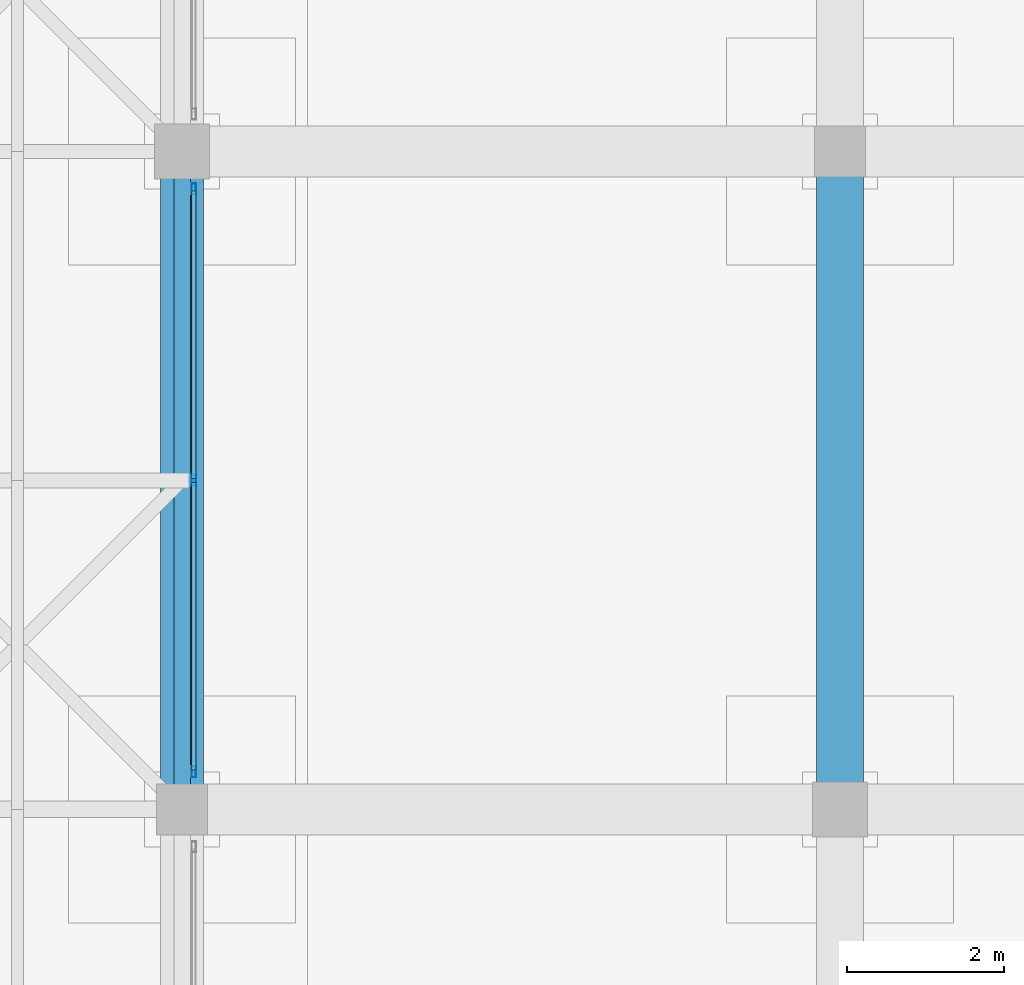
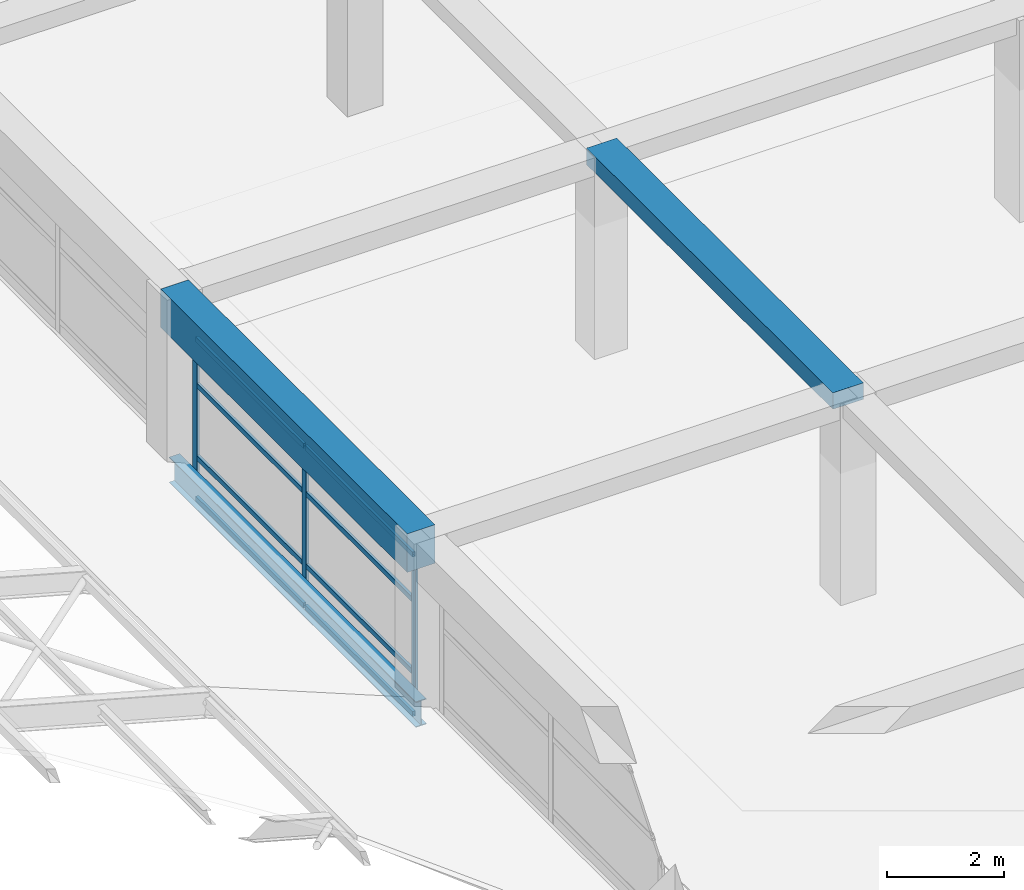
# One storey, part 37 of 85: 11 members, 3 beams, 1 element without a shape of its own.
"""IFC4 building model written with IfcOpenShell, lengths in metres."""

from ifc_helpers import new_model, si_unit, direction, frame, origin, origin_2d, place, context, subcontext, project, spatial, rectangle, hollow_rectangle, i_section, extrude, material, material_profile, profile_set, type_object, element, aggregate, save


model = new_model("IFC4")

# Units and contexts
model_context = context("Model", 3, precision=1e-05, world=origin(), true_north=direction((0.0, 1.0)))
body_context = subcontext(model_context, "Body", "Model", "MODEL_VIEW")
ifc_project = project(units=[si_unit("LENGTHUNIT", "METRE"), si_unit("AREAUNIT", "SQUARE_METRE"), si_unit("VOLUMEUNIT", "CUBIC_METRE"), si_unit("PLANEANGLEUNIT", "RADIAN"), si_unit("MASSUNIT", "GRAM", prefix="KILO")], contexts=[model_context])

# Site, building, storey
site_placement = place(None, origin())
site = spatial("IfcSite", under=ifc_project, at=site_placement, CompositionType="ELEMENT")
building_placement = place(site_placement, origin())
building = spatial("IfcBuilding", under=site, at=building_placement, Name="Almacenes y Pasaje Nevantli", CompositionType="ELEMENT")
storey_placement = place(building_placement, frame((0.0, 0.0, 22.199951171875)))
storey = spatial("IfcBuildingStorey", under=building, at=storey_placement, Name="L05", CompositionType="ELEMENT", Elevation=22.199951171875)

# Beams
ifc_material_1 = material(Name="Concrete C35/45", Category="concrete")
ifc_material_profile_1 = material_profile(ifc_material_1, rectangle(XDim=0.550048828125, YDim=0.800048828125, at=origin_2d()), Name="RC-BM-550x800")
ifc_profile_set_1 = profile_set([ifc_material_profile_1], Name="Concrete C35/45")
beam_type_1 = type_object("IfcBeamType", Name="BM-RC-550x800", PredefinedType="BEAM", material=ifc_profile_set_1)
beam_1_placement = place(storey_placement, frame((92.39990234375, 84.0, 3.820068359375), z_axis=(0.0, 1.0, 0.0), x_axis=(-1.0, 0.0, 0.0)))
element("IfcBeam", 1, at=beam_1_placement, inside=storey, type_object=beam_type_1, Name="L05 North-South Reinforced Concrete Beam #3474", PredefinedType="BEAM", context=body_context, shape_type="SweptSolid", body=[
    extrude(rectangle(XDim=0.550048828125, YDim=0.800048828125, at=origin_2d()), origin(), (0.0, 0.0, 1.0), 8.39990234375),
])
ifc_material_2 = material(Name="Concrete C35/45", Category="concrete")
ifc_material_profile_2 = material_profile(ifc_material_2, rectangle(XDim=0.60009765625, YDim=0.340087890625, at=origin_2d()), Name="RC-BM-600x340")
ifc_profile_set_2 = profile_set([ifc_material_profile_2], Name="Concrete C35/45")
beam_type_2 = type_object("IfcBeamType", Name="BM-RC-600x340", PredefinedType="BEAM", material=ifc_profile_set_2)
beam_2_placement = place(storey_placement, frame((100.800048828125, 84.0, 4.050048828125), z_axis=(0.0, 1.0, 0.0), x_axis=(-1.0, 0.0, 0.0)))
element("IfcBeam", 2, at=beam_2_placement, inside=storey, type_object=beam_type_2, Name="L05 North-South Reinforced Concrete Beam #3487", PredefinedType="BEAM", context=body_context, shape_type="SweptSolid", body=[
    extrude(rectangle(XDim=0.60009765625, YDim=0.340087890625, at=origin_2d()), origin(), (0.0, 0.0, 1.0), 8.39990234375),
])
ifc_material_3 = material(Name="Steel ASTM A992", Category="steel")
ifc_material_profile_3 = material_profile(ifc_material_3, i_section(OverallWidth=0.208984375, OverallDepth=0.532958984375, WebThickness=0.01025390625, FlangeThickness=0.015625, at=origin_2d()), Name="IR 533x92.5")
ifc_profile_set_3 = profile_set([ifc_material_profile_3], Name="Steel ASTM A992")
beam_type_3 = type_object("IfcBeamType", Name="BM-STL-IR-533x92p5", PredefinedType="BEAM", material=ifc_profile_set_3)
beam_3_placement = place(storey_placement, frame((92.39990234375, 84.0, 0.400146484375), z_axis=(0.0, 1.0, 0.0), x_axis=(-1.0, 0.0, 0.0)))
element("IfcBeam", 3, at=beam_3_placement, inside=storey, type_object=beam_type_3, Name="L05 Arcade Barrel Vault Eave Steel Girder #2.11", PredefinedType="BEAM", context=body_context, shape_type="SweptSolid", body=[
    extrude(i_section(OverallWidth=0.208984375, OverallDepth=0.532958984375, WebThickness=0.01025390625, FlangeThickness=0.015625, at=origin_2d()), origin(), (0.0, 0.0, 1.0), 8.39990234375),
])

# Curtain wall, members
ifc_material_4 = material(Name="Thermally Broken Aluminium and Low-E Glass", Category="aluminium")
curtain_wall_type = type_object("IfcCurtainWallType", Name="CW-UNIT-PODIUM", PredefinedType="USERDEFINED", material=ifc_material_4)
curtain_wall_placement = place(storey_placement, origin())
curtain_wall = element("IfcCurtainWall", 4, at=curtain_wall_placement, inside=storey, type_object=curtain_wall_type, Name="L05 Sky-Lobby West Arcade View Curtain Wall Bay 11", ObjectType="UNITIZED CURTAIN WALL", PredefinedType="USERDEFINED")
ifc_material_5 = material(Name="Thermally Broken Anodized Aluminium", Category="aluminium")
ifc_material_profile_4 = material_profile(ifc_material_5, hollow_rectangle(XDim=0.054931640625, YDim=0.139892578125, WallThickness=0.00341796875, at=origin_2d()), Name="ALU-MUL-55x140")
ifc_profile_set_4 = profile_set([ifc_material_profile_4], Name="Thermally Broken Anodized Aluminium")
member_type_1 = type_object("IfcMemberType", Name="CW-MUL-160", PredefinedType="MULLION", material=ifc_profile_set_4)
member_1_placement = place(storey_placement, frame((92.550048828125, 84.4775390625, 0.0), z_axis=(0.0, 0.0, 1.0), x_axis=(-1.0, 0.0, 0.0)))
member_1 = element("IfcMember", 5, at=member_1_placement, type_object=member_type_1, Name="CW-L05-098 mullion 1", PredefinedType="MULLION", context=body_context, shape_type="SweptSolid", body=[
    extrude(hollow_rectangle(XDim=0.054931640625, YDim=0.139892578125, WallThickness=0.00341796875, at=origin_2d()), origin(), (0.0, 0.0, 1.0), 3.3701171875),
])
member_2_placement = place(storey_placement, frame((92.550048828125, 88.199951171875, 0.0), z_axis=(0.0, 0.0, 1.0), x_axis=(-1.0, 0.0, 0.0)))
member_2 = element("IfcMember", 6, at=member_2_placement, type_object=member_type_1, Name="CW-L05-098 mullion 2", PredefinedType="MULLION", context=body_context, shape_type="SweptSolid", body=[
    extrude(hollow_rectangle(XDim=0.054931640625, YDim=0.139892578125, WallThickness=0.00341796875, at=origin_2d()), origin(), (0.0, 0.0, 1.0), 3.3701171875),
])
member_3_placement = place(storey_placement, frame((92.550048828125, 91.922607421875, 0.0), z_axis=(0.0, 0.0, 1.0), x_axis=(-1.0, 0.0, 0.0)))
member_3 = element("IfcMember", 7, at=member_3_placement, type_object=member_type_1, Name="CW-L05-098 mullion 3", PredefinedType="MULLION", context=body_context, shape_type="SweptSolid", body=[
    extrude(hollow_rectangle(XDim=0.054931640625, YDim=0.139892578125, WallThickness=0.00341796875, at=origin_2d()), origin(), (0.0, 0.0, 1.0), 3.3701171875),
])
ifc_material_6 = material(Name="Thermally Broken Anodized Aluminium", Category="aluminium")
ifc_material_profile_5 = material_profile(ifc_material_6, hollow_rectangle(XDim=0.054931640625, YDim=0.10498046875, WallThickness=0.003173828125, at=origin_2d()), Name="ALU-TRN-55x105")
ifc_profile_set_5 = profile_set([ifc_material_profile_5], Name="Thermally Broken Anodized Aluminium")
member_type_2 = type_object("IfcMemberType", Name="CW-TRN-120", PredefinedType="USERDEFINED", material=ifc_profile_set_5)
member_4_placement = place(storey_placement, frame((92.550048828125, 84.5048828125, 0.027587890625), z_axis=(0.0, 1.0, 0.0), x_axis=(-1.0, 0.0, 0.0)))
member_4 = element("IfcMember", 8, at=member_4_placement, type_object=member_type_2, Name="CW-L05-098 transom 1.1", ObjectType="TRANSOM", PredefinedType="USERDEFINED", context=body_context, shape_type="SweptSolid", body=[
    extrude(hollow_rectangle(XDim=0.054931640625, YDim=0.10498046875, WallThickness=0.003173828125, at=origin_2d()), origin(), (0.0, 0.0, 1.0), 3.667724609375),
])
member_5_placement = place(storey_placement, frame((92.550048828125, 84.5048828125, 0.900146484375), z_axis=(0.0, 1.0, 0.0), x_axis=(-1.0, 0.0, 0.0)))
member_5 = element("IfcMember", 9, at=member_5_placement, type_object=member_type_2, Name="CW-L05-098 transom 1.2", ObjectType="TRANSOM", PredefinedType="USERDEFINED", context=body_context, shape_type="SweptSolid", body=[
    extrude(hollow_rectangle(XDim=0.054931640625, YDim=0.10498046875, WallThickness=0.003173828125, at=origin_2d()), origin(), (0.0, 0.0, 1.0), 3.667724609375),
])
member_6_placement = place(storey_placement, frame((92.550048828125, 84.5048828125, 2.400146484375), z_axis=(0.0, 1.0, 0.0), x_axis=(-1.0, 0.0, 0.0)))
member_6 = element("IfcMember", 10, at=member_6_placement, type_object=member_type_2, Name="CW-L05-098 transom 1.3", ObjectType="TRANSOM", PredefinedType="USERDEFINED", context=body_context, shape_type="SweptSolid", body=[
    extrude(hollow_rectangle(XDim=0.054931640625, YDim=0.10498046875, WallThickness=0.003173828125, at=origin_2d()), origin(), (0.0, 0.0, 1.0), 3.667724609375),
])
member_7_placement = place(storey_placement, frame((92.550048828125, 84.5048828125, 3.342529296875), z_axis=(0.0, 1.0, 0.0), x_axis=(-1.0, 0.0, 0.0)))
member_7 = element("IfcMember", 11, at=member_7_placement, type_object=member_type_2, Name="CW-L05-098 transom 1.4", ObjectType="TRANSOM", PredefinedType="USERDEFINED", context=body_context, shape_type="SweptSolid", body=[
    extrude(hollow_rectangle(XDim=0.054931640625, YDim=0.10498046875, WallThickness=0.003173828125, at=origin_2d()), origin(), (0.0, 0.0, 1.0), 3.667724609375),
])
member_8_placement = place(storey_placement, frame((92.550048828125, 88.2275390625, 0.027587890625), z_axis=(0.0, 1.0, 0.0), x_axis=(-1.0, 0.0, 0.0)))
member_8 = element("IfcMember", 12, at=member_8_placement, type_object=member_type_2, Name="CW-L05-098 transom 2.1", ObjectType="TRANSOM", PredefinedType="USERDEFINED", context=body_context, shape_type="SweptSolid", body=[
    extrude(hollow_rectangle(XDim=0.054931640625, YDim=0.10498046875, WallThickness=0.003173828125, at=origin_2d()), origin(), (0.0, 0.0, 1.0), 3.66748046875),
])
member_9_placement = place(storey_placement, frame((92.550048828125, 88.2275390625, 0.900146484375), z_axis=(0.0, 1.0, 0.0), x_axis=(-1.0, 0.0, 0.0)))
member_9 = element("IfcMember", 13, at=member_9_placement, type_object=member_type_2, Name="CW-L05-098 transom 2.2", ObjectType="TRANSOM", PredefinedType="USERDEFINED", context=body_context, shape_type="SweptSolid", body=[
    extrude(hollow_rectangle(XDim=0.054931640625, YDim=0.10498046875, WallThickness=0.003173828125, at=origin_2d()), origin(), (0.0, 0.0, 1.0), 3.66748046875),
])
member_10_placement = place(storey_placement, frame((92.550048828125, 88.2275390625, 2.400146484375), z_axis=(0.0, 1.0, 0.0), x_axis=(-1.0, 0.0, 0.0)))
member_10 = element("IfcMember", 14, at=member_10_placement, type_object=member_type_2, Name="CW-L05-098 transom 2.3", ObjectType="TRANSOM", PredefinedType="USERDEFINED", context=body_context, shape_type="SweptSolid", body=[
    extrude(hollow_rectangle(XDim=0.054931640625, YDim=0.10498046875, WallThickness=0.003173828125, at=origin_2d()), origin(), (0.0, 0.0, 1.0), 3.66748046875),
])
member_11_placement = place(storey_placement, frame((92.550048828125, 88.2275390625, 3.342529296875), z_axis=(0.0, 1.0, 0.0), x_axis=(-1.0, 0.0, 0.0)))
member_11 = element("IfcMember", 15, at=member_11_placement, type_object=member_type_2, Name="CW-L05-098 transom 2.4", ObjectType="TRANSOM", PredefinedType="USERDEFINED", context=body_context, shape_type="SweptSolid", body=[
    extrude(hollow_rectangle(XDim=0.054931640625, YDim=0.10498046875, WallThickness=0.003173828125, at=origin_2d()), origin(), (0.0, 0.0, 1.0), 3.66748046875),
])
aggregate(curtain_wall, [member_1, member_2, member_3, member_4, member_5, member_6, member_7, member_8, member_9, member_10, member_11])

save(model, "model.ifc")
